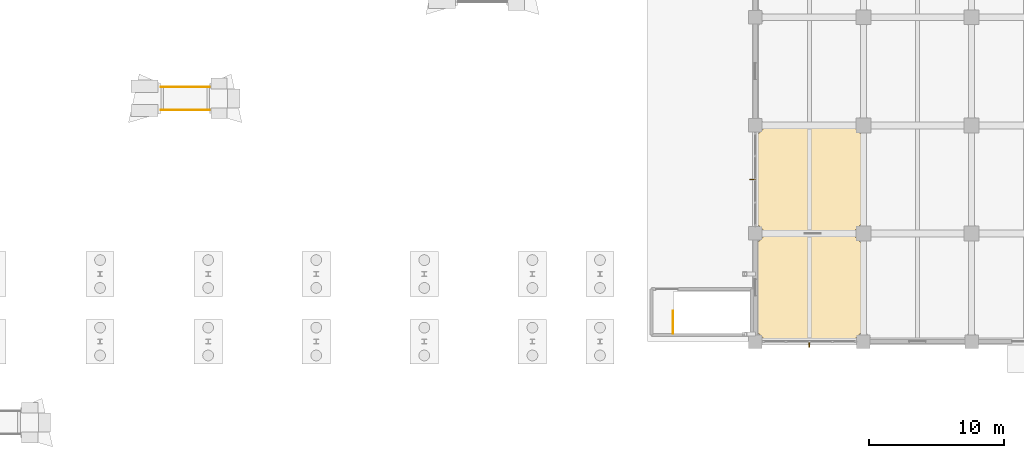
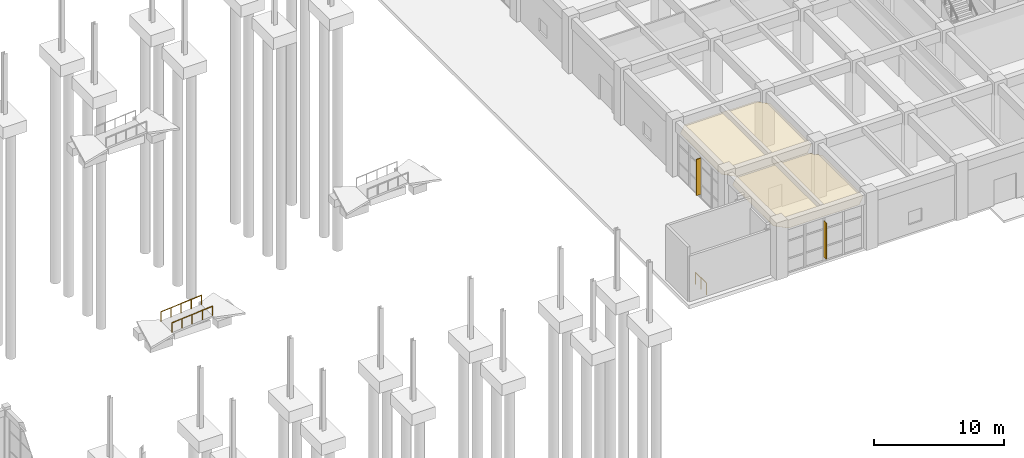
# One storey, part 83 of 90: 3 railings, 2 coverings, 2 shading devices.
"""IFC4 building model written with IfcOpenShell, lengths in metres."""

from ifc_helpers import new_model, si_unit, direction, frame, origin, origin_2d, place, context, subcontext, project, spatial, polyline, rectangle, circle, outline, extrude, material, layer, layer_set, type_object, element, save


model = new_model("IFC4")

# Units and contexts
model_context = context("Model", 3, precision=1e-05, world=origin(), true_north=direction((0.0, 1.0)))
body_context = subcontext(model_context, "Body", "Model", "MODEL_VIEW")
ifc_project = project(units=[si_unit("LENGTHUNIT", "METRE"), si_unit("AREAUNIT", "SQUARE_METRE"), si_unit("VOLUMEUNIT", "CUBIC_METRE"), si_unit("PLANEANGLEUNIT", "RADIAN"), si_unit("MASSUNIT", "GRAM", prefix="KILO")], contexts=[model_context])

# Site, building, storey
site_placement = place(None, origin())
site = spatial("IfcSite", under=ifc_project, at=site_placement, CompositionType="ELEMENT")
building_placement = place(site_placement, origin())
building = spatial("IfcBuilding", under=site, at=building_placement, Name="Canggui Botanical Conservatory", CompositionType="ELEMENT")
storey_placement = place(building_placement, origin())
storey = spatial("IfcBuildingStorey", under=building, at=storey_placement, Name="L01", CompositionType="ELEMENT", Elevation=0.0)

# Coverings
ifc_material_1 = material(Name="Mineral Fibre Acoustic Board")
ifc_layer_1 = layer(ifc_material_1, 0.014892578125, Name="Mineral Fibre Acoustic Board")
ifc_layer_set_1 = layer_set([ifc_layer_1], Name="Mineral Fibre Acoustic Board")
covering_type_1 = type_object("IfcCoveringType", Name="COV-CEIL-15", PredefinedType="CEILING", material=ifc_layer_set_1)
covering_1_placement = place(storey_placement, frame((0.0, 0.0, 4.155029296875)))
element("IfcCovering", 1, at=covering_1_placement, inside=storey, type_object=covering_type_1, Name="Suspended Acoustic Ceiling L01-130-26", PredefinedType="CEILING", context=body_context, shape_type="SweptSolid", body=[
    extrude(outline(polyline([(130.85009765625, 26.0), (137.14990234375, 26.0), (138.0, 26.85009765625), (138.0, 33.14990234375), (137.14990234375, 34.0), (130.85009765625, 34.0), (130.0, 33.14990234375), (130.0, 26.85009765625), (130.85009765625, 26.0)])), origin(), (0.0, 0.0, 1.0), 0.014892578125),
])
ifc_material_2 = material(Name="Perforated Gypsum Acoustic Panel")
ifc_layer_2 = layer(ifc_material_2, 0.02001953125, Name="Perforated Gypsum Acoustic Panel")
ifc_layer_set_2 = layer_set([ifc_layer_2], Name="Perforated Gypsum Acoustic Panel")
covering_type_2 = type_object("IfcCoveringType", Name="COV-CEIL-20", PredefinedType="CEILING", material=ifc_layer_set_2)
covering_2_placement = place(storey_placement, frame((0.0, 0.0, 4.14990234375)))
element("IfcCovering", 2, at=covering_2_placement, inside=storey, type_object=covering_type_2, Name="Suspended Acoustic Ceiling L01-130-34", PredefinedType="CEILING", context=body_context, shape_type="SweptSolid", body=[
    extrude(outline(polyline([(130.85009765625, 34.0), (137.14990234375, 34.0), (138.0, 34.85009765625), (138.0, 41.14990234375), (137.14990234375, 42.0), (130.85009765625, 42.0), (130.0, 41.14990234375), (130.0, 34.85009765625), (130.85009765625, 34.0)])), origin(), (0.0, 0.0, 1.0), 0.02001953125),
])

# Railings
ifc_material_3 = material(Name="Stainless Steel 304", Category="steel")
railing_type_1 = type_object("IfcRailingType", Name="RAIL-GUARD-1100", PredefinedType="BALUSTRADE", material=ifc_material_3)
railing_placement = place(storey_placement, frame((123.89990234375, 26.60009765625, 0.0)))
element("IfcRailing", 3, at=railing_placement, inside=storey, type_object=railing_type_1, Name="L01 ST-G1 top well guard 1", PredefinedType="BALUSTRADE", context=body_context, shape_type="SweptSolid", body=[
    extrude(circle(Radius=0.02392578125, at=origin_2d()), frame((0.0, 0.0, 1.076171875), z_axis=(0.0, 1.0, 0.0), x_axis=(-1.0, 0.0, 0.0)), (0.0, 0.0, 1.0), 1.64990234375),
    extrude(circle(Radius=0.02099609375, at=origin_2d()), origin(), (0.0, 0.0, 1.0), 1.052001953125),
    extrude(circle(Radius=0.02099609375, at=origin_2d()), frame((0.0, 0.824951171875, 0.0)), (0.0, 0.0, 1.0), 1.052001953125),
    extrude(circle(Radius=0.02099609375, at=origin_2d()), frame((0.0, 1.64990234375, 0.0)), (0.0, 0.0, 1.0), 1.052001953125),
])
railing_type_2 = type_object("IfcRailingType", Name="RAIL-HAND-900", PredefinedType="HANDRAIL", material=ifc_material_3)
for number, where, name in (
    (4, (86.0, 43.14990234375, -0.300048828125), "PR-02 Accessible Handrail S"),
    (5, (86.0, 44.85009765625, -0.300048828125), "PR-02 Accessible Handrail N"),
):
    element("IfcRailing", number, at=place(storey_placement, frame(where)), inside=storey, type_object=railing_type_2, Name=name, PredefinedType="HANDRAIL", context=body_context, shape_type="SweptSolid", body=[
        extrude(circle(Radius=0.02392578125, at=origin_2d()), frame((0.0, 0.0, 0.8759765625), z_axis=(0.996544826035, 0.0, 0.083056665618), x_axis=(0.0, 1.0, 0.0)), (0.0, 0.0, 1.0), 3.612548828125),
        extrude(circle(Radius=0.02099609375, at=origin_2d()), origin(), (0.0, 0.0, 1.0), 0.851806640625),
        extrude(circle(Radius=0.02099609375, at=origin_2d()), frame((0.89990234375, 0.0, 0.074951171875)), (0.0, 0.0, 1.0), 0.851806640625),
        extrude(circle(Radius=0.02099609375, at=origin_2d()), frame((1.800048828125, 0.0, 0.14990234375)), (0.0, 0.0, 1.0), 0.851806640625),
        extrude(circle(Radius=0.02099609375, at=origin_2d()), frame((2.7001953125, 0.0, 0.22509765625)), (0.0, 0.0, 1.0), 0.851806640625),
        extrude(circle(Radius=0.02099609375, at=origin_2d()), frame((3.60009765625, 0.0, 0.300048828125)), (0.0, 0.0, 1.0), 0.851806640625),
    ])

# Shading devices
ifc_material_4 = material(Name="Anodised Aluminium", Category="aluminium")
shading_device_type = type_object("IfcShadingDeviceType", Name="SHD-FIN01", PredefinedType="AWNING", material=ifc_material_4)
for number, where, z_axis, x_axis, name in (
    (6, (134.0, 25.804931640625, 0.39013671875), (0.0, 0.0, 1.0), (-1.0, 0.0, 0.0), "Solar Shading Fin CW-TWR-L01-03"),
    (7, (129.804931640625, 38.0, 0.39013671875), (0.0, 0.0, 1.0), (0.0, 1.0, 0.0), "Solar Shading Fin CW-TWR-L01-05"),
):
    element("IfcShadingDevice", number, at=place(storey_placement, frame(where, z_axis=z_axis, x_axis=x_axis)), inside=storey, type_object=shading_device_type, Name=name, PredefinedType="AWNING", context=body_context, shape_type="SweptSolid", body=[
        extrude(rectangle(XDim=0.06005859375, YDim=0.419921875, at=origin_2d()), origin(), (0.0, 0.0, 1.0), 3.39990234375),
    ])

save(model, "model.ifc")
